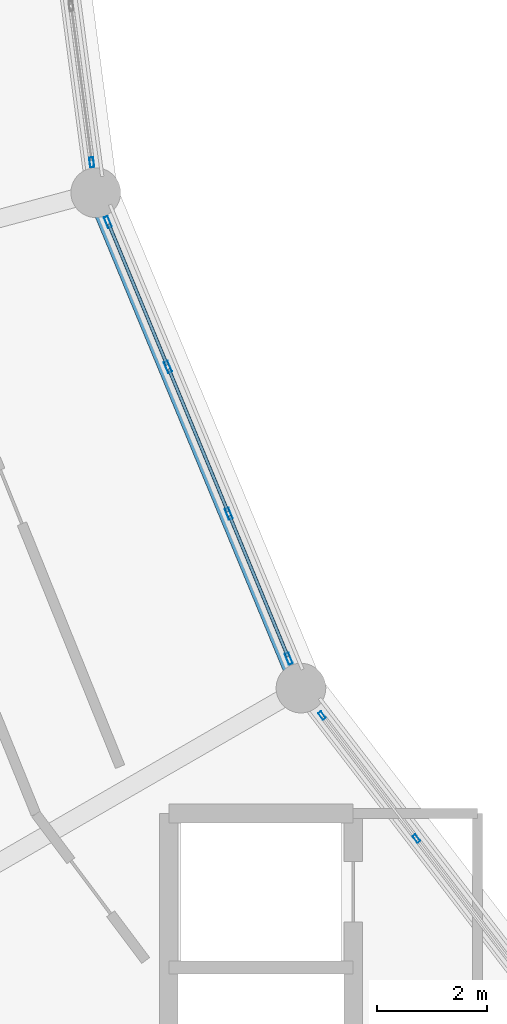
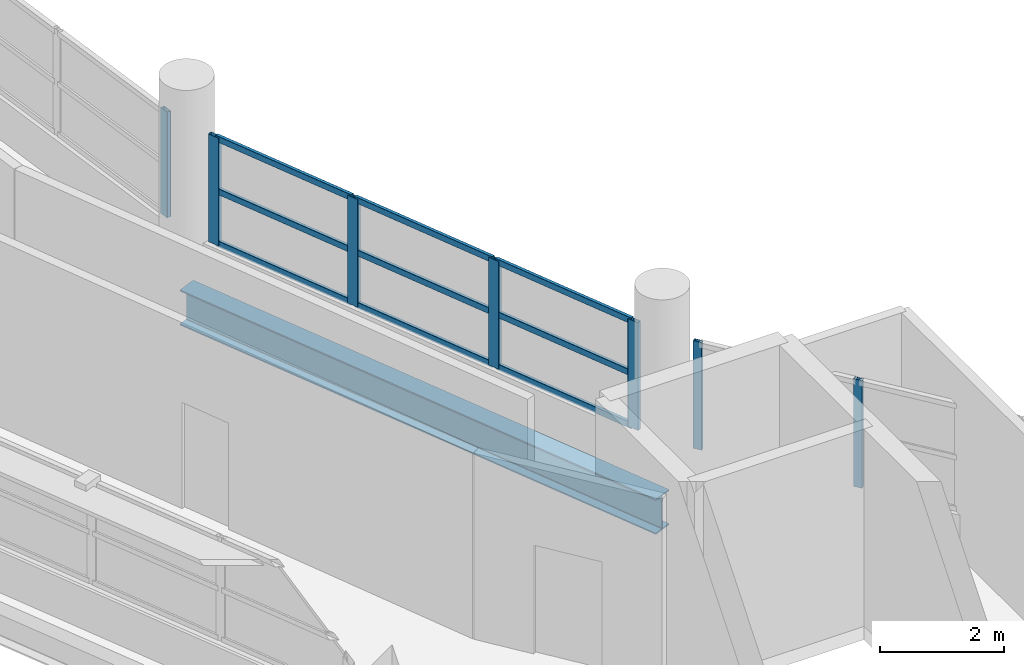
# One storey, part 16 of 53: 16 members, 1 beam, 3 elements without a shape of their own.
"""IFC4 building model written with IfcOpenShell, lengths in metres."""

import ifcopenshell
import ifcopenshell.guid

model = None  # the IFC model being written
_history = None  # IfcOwnerHistory: only IFC2X3 demands one
_inside = {}  # id of a spatial element -> (the spatial element, [elements in it])
_under = {}  # id of a project, library or spatial element -> (it, [spatial elements below it])
_declared = {}  # id of a project -> (the project, [libraries it declares])
_typed = {}  # id of a type object -> (the type object, [elements of that type])
_made_of = {}  # id of a material, layer set ... -> (it, [elements and type objects made of it])


def new_model(schema):
    """Start an empty IFC model of exactly this schema.

    Asked for "IFC4X3", IfcOpenShell would pick the latest addendum, in which some entities
    have other attributes; the version numbers below select the first issue.
    IFC2X3 requires an IfcOwnerHistory on every rooted entity: one is made here for all.
    """
    global model, _history
    if schema == "IFC4X3":
        model = ifcopenshell.file(schema_version=(4, 3, 0, 0))
    else:
        model = ifcopenshell.file(schema=schema)
    _inside.clear()
    _under.clear()
    _declared.clear()
    _typed.clear()
    _made_of.clear()
    _history = None
    if model.schema == "IFC2X3":
        org = make("IfcOrganization", Name="unknown")
        user = make(
            "IfcPersonAndOrganization",
            ThePerson=make("IfcPerson", FamilyName="unknown"),
            TheOrganization=org,
        )
        app = make(
            "IfcApplication",
            ApplicationDeveloper=org,
            Version="unknown",
            ApplicationFullName="unknown",
            ApplicationIdentifier="unknown",
        )
        _history = make(
            "IfcOwnerHistory",
            OwningUser=user,
            OwningApplication=app,
            ChangeAction="ADDED",
            CreationDate=0,
        )
    return model


def make(cls, **values):
    """One entity of the class cls with the attributes given. An attribute that is None is left unset."""
    return model.create_entity(
        cls, **{name: value for name, value in values.items() if value is not None}
    )


def rooted(cls, **values):
    """An entity with a GlobalId (a new one), such as an element, a storey or a relation."""
    return make(cls, GlobalId=ifcopenshell.guid.new(), OwnerHistory=_history, **values)


def si_unit(unit_type, name, prefix=None):
    """IfcSIUnit, for example si_unit("LENGTHUNIT", "METRE", prefix="MILLI")."""
    return make("IfcSIUnit", UnitType=unit_type, Prefix=prefix, Name=name)


def assignment(units):
    """IfcUnitAssignment: the units of a project."""
    return None if units is None else make("IfcUnitAssignment", Units=units)


def point(xyz):
    """IfcCartesianPoint."""
    return None if xyz is None else make("IfcCartesianPoint", Coordinates=xyz)


def direction(xyz):
    """IfcDirection."""
    return None if xyz is None else make("IfcDirection", DirectionRatios=xyz)


def frame(location, z_axis=None, x_axis=None):
    """IfcAxis2Placement3D, a coordinate frame: its origin and axes. An axis left out is left unset."""
    return make(
        "IfcAxis2Placement3D",
        Location=point(location),
        Axis=direction(z_axis),
        RefDirection=direction(x_axis),
    )


def frame_2d(location, x_axis=None):
    """IfcAxis2Placement2D, a coordinate frame in the plane: its origin and x axis."""
    return make(
        "IfcAxis2Placement2D", Location=point(location), RefDirection=direction(x_axis)
    )


def origin():
    """The frame at (0, 0, 0) with its axes left unset."""
    return frame((0.0, 0.0, 0.0))


def origin_2d():
    """The frame at (0, 0) in the plane with its x axis left unset."""
    return frame_2d((0.0, 0.0))


def place(relative_to, where):
    """IfcLocalPlacement: puts the frame where relative to a parent placement (None: the world)."""
    return make(
        "IfcLocalPlacement", PlacementRelTo=relative_to, RelativePlacement=where
    )


def context(
    kind, dimensions, precision=None, world=None, true_north=None, identifier=None
):
    """IfcGeometricRepresentationContext, for example the 3D "Model" context."""
    return make(
        "IfcGeometricRepresentationContext",
        ContextIdentifier=identifier,
        ContextType=kind,
        CoordinateSpaceDimension=dimensions,
        Precision=precision,
        WorldCoordinateSystem=world,
        TrueNorth=true_north,
    )


def subcontext(parent, identifier, kind, view, scale=None):
    """IfcGeometricRepresentationSubContext, for example "Body" below "Model"."""
    return make(
        "IfcGeometricRepresentationSubContext",
        ContextIdentifier=identifier,
        ContextType=kind,
        ParentContext=parent,
        TargetScale=scale,
        TargetView=view,
    )


def project(units=None, contexts=None):
    """IfcProject with its units and contexts."""
    return rooted(
        "IfcProject",
        Name="project",
        RepresentationContexts=contexts,
        UnitsInContext=assignment(units),
    )


def spatial(cls, under=None, at=None, **own):
    """A site, building, storey or space (cls), placed at a placement, below another one or the project."""
    s = rooted(cls, ObjectPlacement=at, **own)
    if under is not None:
        _under.setdefault(under.id(), (under, []))[1].append(s)
    return s


def profile(cls, at=None, kind="AREA", **sizes):
    """A parametric profile (cls). Its sizes go by their IFC names, for example OverallWidth=200.0."""
    return make(cls, ProfileType=kind, Position=at, **sizes)


def hollow_rectangle(**sizes):
    """IfcRectangleHollowProfileDef."""
    return profile("IfcRectangleHollowProfileDef", **sizes)


def i_section(**sizes):
    """IfcIShapeProfileDef."""
    return profile("IfcIShapeProfileDef", **sizes)


def extrude(swept, where, along, depth):
    """IfcExtrudedAreaSolid: the profile swept, set in the frame where, extruded along a direction by depth."""
    return make(
        "IfcExtrudedAreaSolid",
        SweptArea=swept,
        Position=where,
        ExtrudedDirection=direction(along),
        Depth=depth,
    )


def shape(context_of_items, identifier, shape_type, items):
    """IfcShapeRepresentation: the items that make up one representation, for example the "Body"."""
    return make(
        "IfcShapeRepresentation",
        ContextOfItems=context_of_items,
        RepresentationIdentifier=identifier,
        RepresentationType=shape_type,
        Items=items,
    )


def material(Name=None, Category=None):
    """IfcMaterial."""
    return make("IfcMaterial", Name=Name, Category=Category)


def layer(
    of_material, thickness, ventilated=None, Name=None, Category=None, Priority=None
):
    """IfcMaterialLayer: one layer of a wall or slab, of a material (None: an air gap)."""
    return make(
        "IfcMaterialLayer",
        Material=of_material,
        LayerThickness=thickness,
        IsVentilated=ventilated,
        Name=Name,
        Category=Category,
        Priority=Priority,
    )


def layer_set(layers, Name=None):
    """IfcMaterialLayerSet."""
    return make("IfcMaterialLayerSet", MaterialLayers=layers, LayerSetName=Name)


def material_profile(
    of_material, cross_section, Name=None, Category=None, Priority=None
):
    """IfcMaterialProfile: a cross section and its material."""
    return make(
        "IfcMaterialProfile",
        Name=Name,
        Material=of_material,
        Profile=cross_section,
        Priority=Priority,
        Category=Category,
    )


def profile_set(profiles, Name=None, composite=None):
    """IfcMaterialProfileSet."""
    return make(
        "IfcMaterialProfileSet",
        Name=Name,
        MaterialProfiles=profiles,
        CompositeProfile=composite,
    )


def made_of(thing, what):
    """Note that an element or type object is made of a material, layer set ...; save() writes the relation."""
    if what is not None:
        _made_of.setdefault(what.id(), (what, []))[1].append(thing)
    return thing


def type_object(cls, material=None, **own):
    """A type object (cls), such as IfcWallType, which elements share."""
    return made_of(rooted(cls, **own), material)


def element(
    cls,
    number,
    at=None,
    inside=None,
    cuts=None,
    type_object=None,
    material=None,
    context=None,
    identifier="Body",
    shape_type=None,
    held_by="IfcProductDefinitionShape",
    body=None,
    shapes=None,
    **own,
):
    """One element of the class cls, such as IfcWall. Its Tag is "e" and its number.

    at: its placement. inside: the storey or other place that contains it. cuts: it is an
    opening in that element (IfcRelVoidsElement). A single representation is given by context,
    identifier, shape_type and body (its items); several are given by shapes. held_by: the class
    of the entity that holds the representations. save() writes the other relations.
    """
    e = rooted(cls, Tag="e%d" % number, ObjectPlacement=at, **own)
    if body is not None:
        shapes = [shape(context, identifier, shape_type, body)]
    if shapes is not None:
        e.Representation = make(held_by, Representations=shapes)
    if inside is not None:
        _inside.setdefault(inside.id(), (inside, []))[1].append(e)
    if cuts is not None:
        rooted(
            "IfcRelVoidsElement", RelatingBuildingElement=cuts, RelatedOpeningElement=e
        )
    if type_object is not None:
        _typed.setdefault(type_object.id(), (type_object, []))[1].append(e)
    return made_of(e, material)


def aggregate(whole, parts):
    """IfcRelAggregates: a whole, such as a stair, and the parts it consists of."""
    return rooted("IfcRelAggregates", RelatingObject=whole, RelatedObjects=parts)


def save(model, path):
    """Write the relations noted so far, then the file.

    IfcRelAggregates (storeys below a building ...), IfcRelContainedInSpatialStructure (elements
    in a storey), IfcRelDefinesByType, IfcRelAssociatesMaterial and IfcRelDeclares: one each for
    every whole, place, type object, material and project.
    """
    for whole, parts in _under.values():
        aggregate(whole, parts)
    for where, things in _inside.values():
        rooted(
            "IfcRelContainedInSpatialStructure",
            RelatedElements=things,
            RelatingStructure=where,
        )
    for kind, things in _typed.values():
        rooted("IfcRelDefinesByType", RelatedObjects=things, RelatingType=kind)
    for what, things in _made_of.values():
        rooted("IfcRelAssociatesMaterial", RelatedObjects=things, RelatingMaterial=what)
    for by, libraries in _declared.values():
        rooted("IfcRelDeclares", RelatingContext=by, RelatedDefinitions=libraries)
    model.write(path)


model = new_model("IFC4")

# Units and contexts
model_context = context("Model", 3, precision=1e-05, world=origin(), true_north=direction((0.0, 1.0)))
body_context = subcontext(model_context, "Body", "Model", "MODEL_VIEW")
ifc_project = project(units=[si_unit("LENGTHUNIT", "METRE"), si_unit("AREAUNIT", "SQUARE_METRE"), si_unit("VOLUMEUNIT", "CUBIC_METRE"), si_unit("PLANEANGLEUNIT", "RADIAN"), si_unit("MASSUNIT", "GRAM", prefix="KILO")], contexts=[model_context])

# Site, building, storey
site_placement = place(None, origin())
site = spatial("IfcSite", under=ifc_project, at=site_placement, CompositionType="ELEMENT")
building_placement = place(site_placement, origin())
building = spatial("IfcBuilding", under=site, at=building_placement, Name="Vespera Passage Community Centre", CompositionType="ELEMENT")
storey_placement = place(building_placement, frame((0.0, 0.0, 20.39990234375)))
storey = spatial("IfcBuildingStorey", under=building, at=storey_placement, Name="L05", CompositionType="ELEMENT", Elevation=20.39990234375)

# Beam
ifc_material_1 = material(Name="Steel ASTM A992 Grade 50", Category="steel")
ifc_material_profile_1 = material_profile(ifc_material_1, i_section(OverallWidth=0.3544921875, OverallDepth=0.695556640625, WebThickness=0.015380859375, FlangeThickness=0.024658203125, FilletRadius=0.01513671875, at=origin_2d()), Name="W27X146")
ifc_profile_set_1 = profile_set([ifc_material_profile_1], Name="Steel ASTM A992 Grade 50")
beam_type = type_object("IfcBeamType", Name="BM-SP-W27X146E", PredefinedType="SPANDREL", material=ifc_profile_set_1)
beam_placement = place(storey_placement, frame((42.067626953125, 55.871826171875, -0.607666015625), z_axis=(0.382684844258, -0.923878947685, 0.0), x_axis=(0.923878947685, 0.382684844258, 0.0)))
element("IfcBeam", 1, at=beam_placement, inside=storey, type_object=beam_type, Name="V4 L05 Inner Spandrel 13", PredefinedType="SPANDREL", context=body_context, shape_type="SweptSolid", body=[
    extrude(i_section(OverallWidth=0.3544921875, OverallDepth=0.695556640625, WebThickness=0.015380859375, FlangeThickness=0.024658203125, FilletRadius=0.01513671875, at=origin_2d()), origin(), (0.0, 0.0, 1.0), 9.711181640625),
])

# Curtain wall, members
ifc_material_2 = material(Name="Anodized aluminium 6063-T6", Category="aluminium")
ifc_layer_1 = layer(ifc_material_2, 0.159912109375)
ifc_layer_set_1 = layer_set([ifc_layer_1], Name="Anodized aluminium 6063-T6")
curtain_wall_type_1 = type_object("IfcCurtainWallType", Name="CW-78E", PredefinedType="NOTDEFINED", material=ifc_layer_set_1)
curtain_wall_1_placement = place(storey_placement, origin())
curtain_wall_1 = element("IfcCurtainWall", 2, at=curtain_wall_1_placement, inside=storey, type_object=curtain_wall_type_1, Name="V4 L05 Inner Court Curtain Wall 14", PredefinedType="NOTDEFINED")
ifc_material_3 = material(Name="Anodized aluminium 6063-T6", Category="aluminium")
ifc_material_profile_2 = material_profile(ifc_material_3, hollow_rectangle(XDim=0.06494140625, YDim=0.14990234375, WallThickness=0.00390625, InnerFilletRadius=0.001953125, OuterFilletRadius=0.00390625, at=origin_2d()), Name="ALU150X65X4")
ifc_profile_set_2 = profile_set([ifc_material_profile_2], Name="Anodized aluminium 6063-T6")
member_type_1 = type_object("IfcMemberType", Name="MB-CWM-150E", PredefinedType="MULLION", material=ifc_profile_set_2)
member_1_placement = place(storey_placement, frame((46.164794921875, 46.403564453125, 0.820068359375), z_axis=(0.0, 0.0, 1.0), x_axis=(0.793358205999, 0.608755087843, 0.0)))
member_1 = element("IfcMember", 3, at=member_1_placement, type_object=member_type_1, Name="CW-78E mullion 1", PredefinedType="MULLION", context=body_context, shape_type="SweptSolid", body=[
    extrude(hollow_rectangle(XDim=0.06494140625, YDim=0.14990234375, WallThickness=0.00390625, InnerFilletRadius=0.001953125, OuterFilletRadius=0.00390625, at=origin_2d()), origin(), (0.0, 0.0, 1.0), 2.129638671875),
])
member_2_placement = place(storey_placement, frame((47.874755859375, 44.175048828125, 0.820068359375), z_axis=(0.0, 0.0, 1.0), x_axis=(0.793358205999, 0.608755087843, 0.0)))
member_2 = element("IfcMember", 4, at=member_2_placement, type_object=member_type_1, Name="CW-78E mullion 2", PredefinedType="MULLION", context=body_context, shape_type="SweptSolid", body=[
    extrude(hollow_rectangle(XDim=0.06494140625, YDim=0.14990234375, WallThickness=0.00390625, InnerFilletRadius=0.001953125, OuterFilletRadius=0.00390625, at=origin_2d()), origin(), (0.0, 0.0, 1.0), 2.129638671875),
])
aggregate(curtain_wall_1, [member_1, member_2])

# Curtain wall, member
ifc_material_4 = material(Name="Anodized aluminium 6063-T6", Category="aluminium")
ifc_layer_2 = layer(ifc_material_4, 0.159912109375)
ifc_layer_set_2 = layer_set([ifc_layer_2], Name="Anodized aluminium 6063-T6")
curtain_wall_type_2 = type_object("IfcCurtainWallType", Name="CW-64E", PredefinedType="NOTDEFINED", material=ifc_layer_set_2)
curtain_wall_2_placement = place(storey_placement, origin())
curtain_wall_2 = element("IfcCurtainWall", 5, at=curtain_wall_2_placement, inside=storey, type_object=curtain_wall_type_2, Name="V4 L05 Inner Court Curtain Wall 12", PredefinedType="NOTDEFINED")
ifc_material_5 = material(Name="Anodized aluminium 6063-T6", Category="aluminium")
ifc_material_profile_3 = material_profile(ifc_material_5, hollow_rectangle(XDim=0.074951171875, YDim=0.179931640625, WallThickness=0.0048828125, InnerFilletRadius=0.00244140625, OuterFilletRadius=0.0048828125, at=origin_2d()), Name="ALU180X75X5")
ifc_profile_set_3 = profile_set([ifc_material_profile_3], Name="Anodized aluminium 6063-T6")
member_type_2 = type_object("IfcMemberType", Name="MB-CWM-180E", PredefinedType="MULLION", material=ifc_profile_set_3)
member_3_placement = place(storey_placement, frame((41.9951171875, 56.42236328125, 0.820068359375), z_axis=(0.0, 0.0, 1.0), x_axis=(0.991445387728, 0.1305221941, 0.0)))
member_3 = element("IfcMember", 6, at=member_3_placement, type_object=member_type_2, Name="CW-64E mullion 4", PredefinedType="MULLION", context=body_context, shape_type="SweptSolid", body=[
    extrude(hollow_rectangle(XDim=0.074951171875, YDim=0.179931640625, WallThickness=0.0048828125, InnerFilletRadius=0.00244140625, OuterFilletRadius=0.0048828125, at=origin_2d()), origin(), (0.0, 0.0, 1.0), 2.08935546875),
])
aggregate(curtain_wall_2, [member_3])

# Curtain wall, members
ifc_material_6 = material(Name="Anodized aluminium 6063-T6", Category="aluminium")
ifc_layer_3 = layer(ifc_material_6, 0.159912109375)
ifc_layer_set_3 = layer_set([ifc_layer_3], Name="Anodized aluminium 6063-T6")
curtain_wall_type_3 = type_object("IfcCurtainWallType", Name="CW-72E", PredefinedType="NOTDEFINED", material=ifc_layer_set_3)
curtain_wall_3_placement = place(storey_placement, origin())
curtain_wall_3 = element("IfcCurtainWall", 7, at=curtain_wall_3_placement, inside=storey, type_object=curtain_wall_type_3, Name="V4 L05 Inner Court Curtain Wall 13", PredefinedType="NOTDEFINED")
ifc_material_7 = material(Name="Anodized aluminium 6063-T6", Category="aluminium")
ifc_material_profile_4 = material_profile(ifc_material_7, hollow_rectangle(XDim=0.074951171875, YDim=0.2099609375, WallThickness=0.0048828125, InnerFilletRadius=0.00244140625, OuterFilletRadius=0.0048828125, at=origin_2d()), Name="ALU210X75X5")
ifc_profile_set_4 = profile_set([ifc_material_profile_4], Name="Anodized aluminium 6063-T6")
member_type_3 = type_object("IfcMemberType", Name="MB-CWM-210E", PredefinedType="MULLION", material=ifc_profile_set_4)
member_4_placement = place(storey_placement, frame((42.288330078125, 55.338623046875, 0.820068359375), z_axis=(0.0, 0.0, 1.0), x_axis=(0.923876620096, 0.382690463482, 0.0)))
member_4 = element("IfcMember", 8, at=member_4_placement, type_object=member_type_3, Name="CW-72E mullion 1", PredefinedType="MULLION", context=body_context, shape_type="SweptSolid", body=[
    extrude(hollow_rectangle(XDim=0.074951171875, YDim=0.2099609375, WallThickness=0.0048828125, InnerFilletRadius=0.00244140625, OuterFilletRadius=0.0048828125, at=origin_2d()), origin(), (0.0, 0.0, 1.0), 2.129638671875),
])
member_5_placement = place(storey_placement, frame((43.375244140625, 52.715087890625, 0.820068359375), z_axis=(0.0, 0.0, 1.0), x_axis=(0.923876620096, 0.382690463482, 0.0)))
member_5 = element("IfcMember", 9, at=member_5_placement, type_object=member_type_3, Name="CW-72E mullion 2", PredefinedType="MULLION", context=body_context, shape_type="SweptSolid", body=[
    extrude(hollow_rectangle(XDim=0.074951171875, YDim=0.2099609375, WallThickness=0.0048828125, InnerFilletRadius=0.00244140625, OuterFilletRadius=0.0048828125, at=origin_2d()), origin(), (0.0, 0.0, 1.0), 2.129638671875),
])
member_6_placement = place(storey_placement, frame((44.476318359375, 50.056884765625, 0.820068359375), z_axis=(0.0, 0.0, 1.0), x_axis=(0.923876620096, 0.382690463482, 0.0)))
member_6 = element("IfcMember", 10, at=member_6_placement, type_object=member_type_3, Name="CW-72E mullion 3", PredefinedType="MULLION", context=body_context, shape_type="SweptSolid", body=[
    extrude(hollow_rectangle(XDim=0.074951171875, YDim=0.2099609375, WallThickness=0.0048828125, InnerFilletRadius=0.00244140625, OuterFilletRadius=0.0048828125, at=origin_2d()), origin(), (0.0, 0.0, 1.0), 2.129638671875),
])
member_7_placement = place(storey_placement, frame((45.56298828125, 47.433349609375, 0.820068359375), z_axis=(0.0, 0.0, 1.0), x_axis=(0.923876620096, 0.382690463482, 0.0)))
member_7 = element("IfcMember", 11, at=member_7_placement, type_object=member_type_3, Name="CW-72E mullion 4", PredefinedType="MULLION", context=body_context, shape_type="SweptSolid", body=[
    extrude(hollow_rectangle(XDim=0.074951171875, YDim=0.2099609375, WallThickness=0.0048828125, InnerFilletRadius=0.00244140625, OuterFilletRadius=0.0048828125, at=origin_2d()), origin(), (0.0, 0.0, 1.0), 2.129638671875),
])
ifc_material_8 = material(Name="Anodized aluminium 6063-T6", Category="aluminium")
ifc_material_profile_5 = material_profile(ifc_material_8, hollow_rectangle(XDim=0.06005859375, YDim=0.1201171875, WallThickness=0.00390625, InnerFilletRadius=0.001953125, OuterFilletRadius=0.00390625, at=origin_2d()), Name="ALU120X60X4")
ifc_profile_set_5 = profile_set([ifc_material_profile_5], Name="Anodized aluminium 6063-T6")
member_type_4 = type_object("IfcMemberType", Name="MB-CWT-120E", PredefinedType="USERDEFINED", material=ifc_profile_set_5)
member_8_placement = place(storey_placement, frame((42.302734375, 55.303955078125, 0.85009765625), z_axis=(0.382720946689, -0.923863992677, 0.0), x_axis=(0.923863992677, 0.382720946689, 0.0)))
member_8 = element("IfcMember", 12, at=member_8_placement, type_object=member_type_4, Name="CW-72E transom 1.1", ObjectType="TRANSOM", PredefinedType="USERDEFINED", context=body_context, shape_type="SweptSolid", body=[
    extrude(hollow_rectangle(XDim=0.06005859375, YDim=0.1201171875, WallThickness=0.00390625, InnerFilletRadius=0.001953125, OuterFilletRadius=0.00390625, at=origin_2d()), origin(), (0.0, 0.0, 1.0), 2.7646484375),
])
member_9_placement = place(storey_placement, frame((42.302734375, 55.303955078125, 1.884765625), z_axis=(0.382720946689, -0.923863992677, 0.0), x_axis=(0.923863992677, 0.382720946689, 0.0)))
member_9 = element("IfcMember", 13, at=member_9_placement, type_object=member_type_4, Name="CW-72E transom 1.2", ObjectType="TRANSOM", PredefinedType="USERDEFINED", context=body_context, shape_type="SweptSolid", body=[
    extrude(hollow_rectangle(XDim=0.06005859375, YDim=0.1201171875, WallThickness=0.00390625, InnerFilletRadius=0.001953125, OuterFilletRadius=0.00390625, at=origin_2d()), origin(), (0.0, 0.0, 1.0), 2.7646484375),
])
member_10_placement = place(storey_placement, frame((42.302734375, 55.303955078125, 2.919677734375), z_axis=(0.382720946689, -0.923863992677, 0.0), x_axis=(0.923863992677, 0.382720946689, 0.0)))
member_10 = element("IfcMember", 14, at=member_10_placement, type_object=member_type_4, Name="CW-72E transom 1.3", ObjectType="TRANSOM", PredefinedType="USERDEFINED", context=body_context, shape_type="SweptSolid", body=[
    extrude(hollow_rectangle(XDim=0.06005859375, YDim=0.1201171875, WallThickness=0.00390625, InnerFilletRadius=0.001953125, OuterFilletRadius=0.00390625, at=origin_2d()), origin(), (0.0, 0.0, 1.0), 2.7646484375),
])
member_11_placement = place(storey_placement, frame((43.3896484375, 52.680419921875, 0.85009765625), z_axis=(0.382659588994, -0.923889408399, 0.0), x_axis=(0.923889408399, 0.382659588994, 0.0)))
member_11 = element("IfcMember", 15, at=member_11_placement, type_object=member_type_4, Name="CW-72E transom 2.1", ObjectType="TRANSOM", PredefinedType="USERDEFINED", context=body_context, shape_type="SweptSolid", body=[
    extrude(hollow_rectangle(XDim=0.06005859375, YDim=0.1201171875, WallThickness=0.00390625, InnerFilletRadius=0.001953125, OuterFilletRadius=0.00390625, at=origin_2d()), origin(), (0.0, 0.0, 1.0), 2.80224609375),
])
member_12_placement = place(storey_placement, frame((43.3896484375, 52.680419921875, 1.884765625), z_axis=(0.382659588994, -0.923889408399, 0.0), x_axis=(0.923889408399, 0.382659588994, 0.0)))
member_12 = element("IfcMember", 16, at=member_12_placement, type_object=member_type_4, Name="CW-72E transom 2.2", ObjectType="TRANSOM", PredefinedType="USERDEFINED", context=body_context, shape_type="SweptSolid", body=[
    extrude(hollow_rectangle(XDim=0.06005859375, YDim=0.1201171875, WallThickness=0.00390625, InnerFilletRadius=0.001953125, OuterFilletRadius=0.00390625, at=origin_2d()), origin(), (0.0, 0.0, 1.0), 2.80224609375),
])
member_13_placement = place(storey_placement, frame((43.3896484375, 52.680419921875, 2.919677734375), z_axis=(0.382659588994, -0.923889408399, 0.0), x_axis=(0.923889408399, 0.382659588994, 0.0)))
member_13 = element("IfcMember", 17, at=member_13_placement, type_object=member_type_4, Name="CW-72E transom 2.3", ObjectType="TRANSOM", PredefinedType="USERDEFINED", context=body_context, shape_type="SweptSolid", body=[
    extrude(hollow_rectangle(XDim=0.06005859375, YDim=0.1201171875, WallThickness=0.00390625, InnerFilletRadius=0.001953125, OuterFilletRadius=0.00390625, at=origin_2d()), origin(), (0.0, 0.0, 1.0), 2.80224609375),
])
member_14_placement = place(storey_placement, frame((44.49072265625, 50.022216796875, 0.85009765625), z_axis=(0.382614353701, -0.923908142805, 0.0), x_axis=(0.923908142805, 0.382614353701, 0.0)))
member_14 = element("IfcMember", 18, at=member_14_placement, type_object=member_type_4, Name="CW-72E transom 3.1", ObjectType="TRANSOM", PredefinedType="USERDEFINED", context=body_context, shape_type="SweptSolid", body=[
    extrude(hollow_rectangle(XDim=0.06005859375, YDim=0.1201171875, WallThickness=0.00390625, InnerFilletRadius=0.001953125, OuterFilletRadius=0.00390625, at=origin_2d()), origin(), (0.0, 0.0, 1.0), 2.764892578125),
])
member_15_placement = place(storey_placement, frame((44.49072265625, 50.022216796875, 1.884765625), z_axis=(0.382614353701, -0.923908142805, 0.0), x_axis=(0.923908142805, 0.382614353701, 0.0)))
member_15 = element("IfcMember", 19, at=member_15_placement, type_object=member_type_4, Name="CW-72E transom 3.2", ObjectType="TRANSOM", PredefinedType="USERDEFINED", context=body_context, shape_type="SweptSolid", body=[
    extrude(hollow_rectangle(XDim=0.06005859375, YDim=0.1201171875, WallThickness=0.00390625, InnerFilletRadius=0.001953125, OuterFilletRadius=0.00390625, at=origin_2d()), origin(), (0.0, 0.0, 1.0), 2.764892578125),
])
member_16_placement = place(storey_placement, frame((44.49072265625, 50.022216796875, 2.919677734375), z_axis=(0.382614353701, -0.923908142805, 0.0), x_axis=(0.923908142805, 0.382614353701, 0.0)))
member_16 = element("IfcMember", 20, at=member_16_placement, type_object=member_type_4, Name="CW-72E transom 3.3", ObjectType="TRANSOM", PredefinedType="USERDEFINED", context=body_context, shape_type="SweptSolid", body=[
    extrude(hollow_rectangle(XDim=0.06005859375, YDim=0.1201171875, WallThickness=0.00390625, InnerFilletRadius=0.001953125, OuterFilletRadius=0.00390625, at=origin_2d()), origin(), (0.0, 0.0, 1.0), 2.764892578125),
])
aggregate(curtain_wall_3, [member_4, member_5, member_6, member_7, member_8, member_9, member_10, member_11, member_12, member_13, member_14, member_15, member_16])

save(model, "model.ifc")
